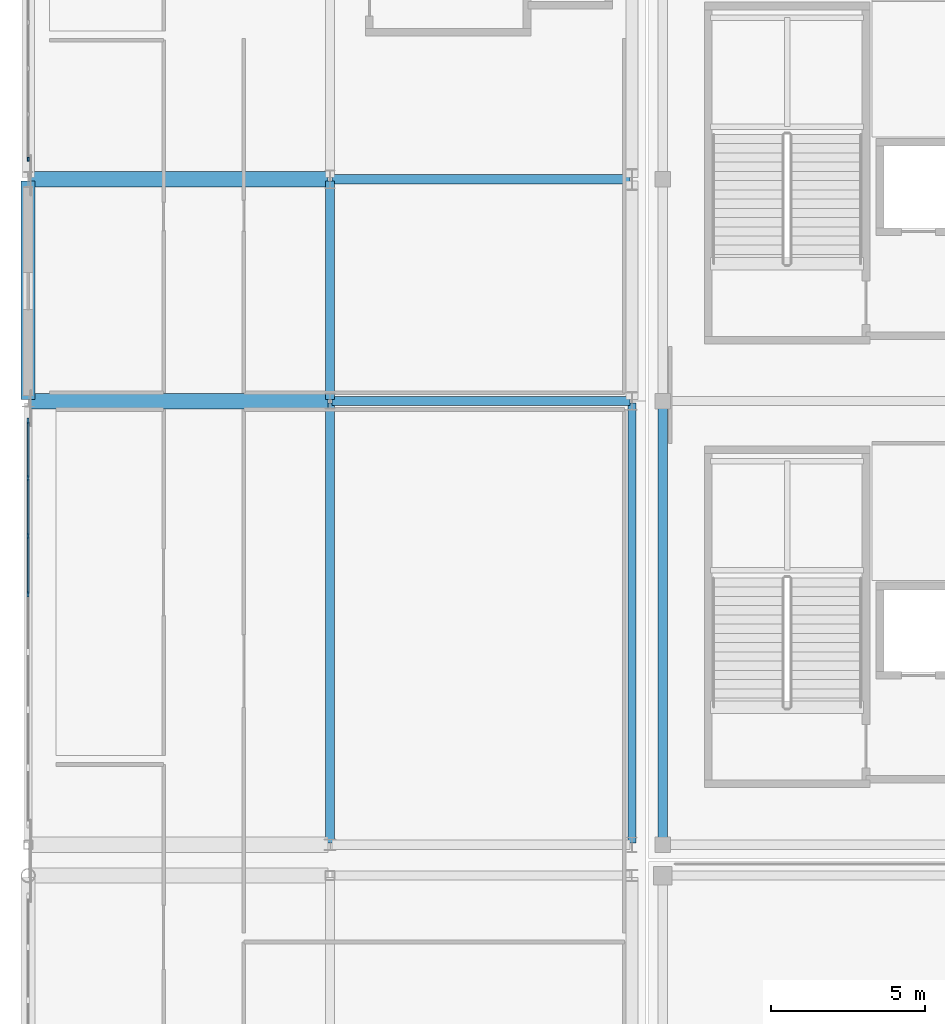
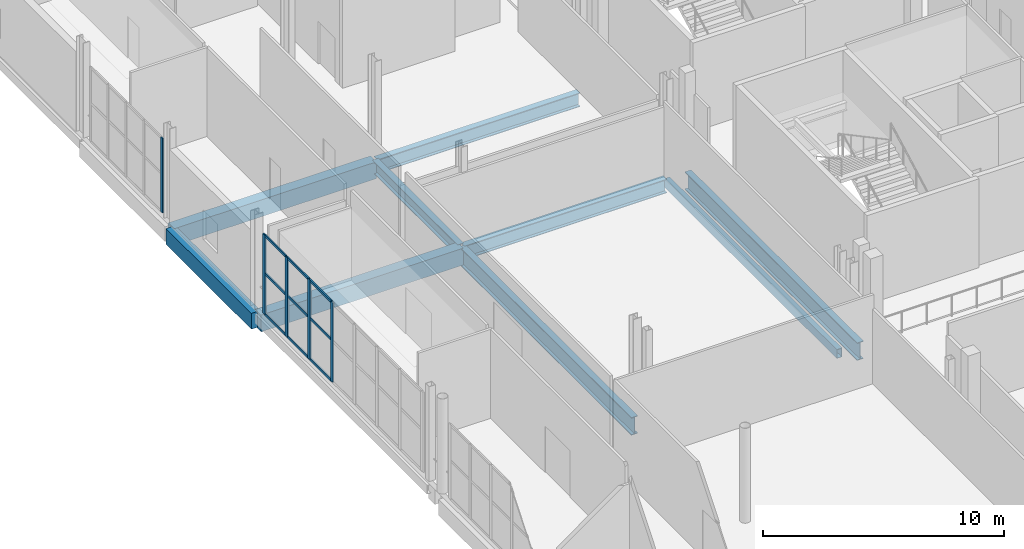
# One storey, part 18 of 129: 14 members, 9 beams, 2 elements without a shape of their own.
"""IFC4 building model written with IfcOpenShell, lengths in metres."""

from ifc_helpers import new_model, si_unit, direction, frame, origin, origin_2d, place, context, subcontext, project, spatial, rectangle, hollow_rectangle, i_section, extrude, material, material_profile, profile_set, type_object, element, aggregate, save


model = new_model("IFC4")

# Units and contexts
model_context = context("Model", 3, precision=1e-05, world=origin(), true_north=direction((0.0, 1.0)))
body_context = subcontext(model_context, "Body", "Model", "MODEL_VIEW")
ifc_project = project(units=[si_unit("LENGTHUNIT", "METRE"), si_unit("AREAUNIT", "SQUARE_METRE"), si_unit("VOLUMEUNIT", "CUBIC_METRE"), si_unit("PLANEANGLEUNIT", "RADIAN"), si_unit("MASSUNIT", "GRAM", prefix="KILO")], contexts=[model_context])

# Site, building, storey
site_placement = place(None, origin())
site = spatial("IfcSite", under=ifc_project, at=site_placement, CompositionType="ELEMENT")
building_placement = place(site_placement, origin())
building = spatial("IfcBuilding", under=site, at=building_placement, Name="Koshinbarg Plaza Stadium", CompositionType="ELEMENT")
storey_placement = place(building_placement, frame((0.0, 0.0, 5.39990234375)))
storey = spatial("IfcBuildingStorey", under=building, at=storey_placement, Name="L01", CompositionType="ELEMENT", Elevation=5.39990234375)

# Beams
ifc_material_1 = material(Name="Concrete C40/50", Category="concrete")
ifc_material_profile_1 = material_profile(ifc_material_1, rectangle(XDim=0.449951171875, YDim=0.800048828125, at=origin_2d()), Name="RC 450x800")
ifc_profile_set_1 = profile_set([ifc_material_profile_1], Name="Concrete C40/50")
beam_type_1 = type_object("IfcBeamType", Name="BM-RCG-04", PredefinedType="USERDEFINED", material=ifc_profile_set_1)
beam_1_placement = place(storey_placement, frame((4.0, 39.9599609375, -0.719970703125), z_axis=(0.0, 1.0, 0.0), x_axis=(-1.0, 0.0, 0.0)))
element("IfcBeam", 1, at=beam_1_placement, inside=storey, type_object=beam_type_1, Name="L01 Y girder 2/F-G", ObjectType="GIRDER", PredefinedType="USERDEFINED", context=body_context, shape_type="SweptSolid", body=[
    extrude(rectangle(XDim=0.449951171875, YDim=0.800048828125, at=origin_2d()), origin(), (0.0, 0.0, 1.0), 7.080078125),
])
ifc_material_profile_2 = material_profile(ifc_material_1, rectangle(XDim=0.5, YDim=0.85009765625, at=origin_2d()), Name="RC 500x850")
ifc_profile_set_2 = profile_set([ifc_material_profile_2], Name="Concrete C40/50")
beam_type_2 = type_object("IfcBeamType", Name="BM-RCG-05", PredefinedType="USERDEFINED", material=ifc_profile_set_2)
for number, where, z_axis, x_axis, name in (
    (2, (4.06005859375, 39.89990234375, -0.744873046875), (1.0, 0.0, 0.0), (0.0, 1.0, 0.0), "L01 X girder F/2-3"),
    (3, (4.06005859375, 47.10009765625, -0.744873046875), (1.0, 0.0, 0.0), (0.0, 1.0, 0.0), "L01 X girder G/2-3"),
):
    element("IfcBeam", number, at=place(storey_placement, frame(where, z_axis=z_axis, x_axis=x_axis)), inside=storey, type_object=beam_type_2, Name=name, ObjectType="GIRDER", PredefinedType="USERDEFINED", context=body_context, shape_type="SweptSolid", body=[
        extrude(rectangle(XDim=0.5, YDim=0.85009765625, at=origin_2d()), origin(), (0.0, 0.0, 1.0), 9.679931640625),
    ])
ifc_material_2 = material(Name="Steel S355", Category="steel")
ifc_material_profile_3 = material_profile(ifc_material_2, i_section(OverallWidth=0.300048828125, OverallDepth=0.60009765625, WebThickness=0.015380859375, FlangeThickness=0.030029296875, at=origin_2d()), Name="HEB 600")
ifc_profile_set_3 = profile_set([ifc_material_profile_3], Name="Steel S355")
beam_type_3 = type_object("IfcBeamType", Name="BM-SGIR-02", PredefinedType="USERDEFINED", material=ifc_profile_set_3)
beam_2_placement = place(storey_placement, frame((13.800048828125, 39.9599609375, -0.619873046875), z_axis=(0.0, 1.0, 0.0), x_axis=(-1.0, 0.0, 0.0)))
element("IfcBeam", 4, at=beam_2_placement, inside=storey, type_object=beam_type_3, Name="L01 Y girder 3/F-G", ObjectType="GIRDER", PredefinedType="USERDEFINED", context=body_context, shape_type="SweptSolid", body=[
    extrude(i_section(OverallWidth=0.300048828125, OverallDepth=0.60009765625, WebThickness=0.015380859375, FlangeThickness=0.030029296875, at=origin_2d()), origin(), (0.0, 0.0, 1.0), 7.080078125),
])
ifc_material_profile_4 = material_profile(ifc_material_2, i_section(OverallWidth=0.300048828125, OverallDepth=0.699951171875, WebThickness=0.01708984375, FlangeThickness=0.031982421875, at=origin_2d()), Name="HEB 700")
ifc_profile_set_4 = profile_set([ifc_material_profile_4], Name="Steel S355")
beam_type_4 = type_object("IfcBeamType", Name="BM-SGIR-03", PredefinedType="USERDEFINED", material=ifc_profile_set_4)
for number, where, z_axis, x_axis, name in (
    (5, (13.860107421875, 39.89990234375, -0.669921875), (1.0, 0.0, 0.0), (0.0, 1.0, 0.0), "L01 X girder F/3-4"),
    (6, (13.860107421875, 47.10009765625, -0.669921875), (1.0, 0.0, 0.0), (0.0, 1.0, 0.0), "L01 X girder G/3-4"),
):
    element("IfcBeam", number, at=place(storey_placement, frame(where, z_axis=z_axis, x_axis=x_axis)), inside=storey, type_object=beam_type_4, Name=name, ObjectType="GIRDER", PredefinedType="USERDEFINED", context=body_context, shape_type="SweptSolid", body=[
        extrude(i_section(OverallWidth=0.300048828125, OverallDepth=0.699951171875, WebThickness=0.01708984375, FlangeThickness=0.031982421875, at=origin_2d()), origin(), (0.0, 0.0, 1.0), 9.679931640625),
    ])
ifc_material_profile_5 = material_profile(ifc_material_2, i_section(OverallWidth=0.300048828125, OverallDepth=0.89990234375, WebThickness=0.0185546875, FlangeThickness=0.034912109375, at=origin_2d()), Name="HEB 900")
ifc_profile_set_5 = profile_set([ifc_material_profile_5], Name="Steel S355")
beam_type_5 = type_object("IfcBeamType", Name="BM-SGIR-05", PredefinedType="USERDEFINED", material=ifc_profile_set_5)
for number, where, z_axis, x_axis, name in (
    (7, (13.800048828125, 25.56005859375, -0.77001953125), (0.0, 1.0, 0.0), (-1.0, 0.0, 0.0), "L01 Y girder 3/E-F"),
    (8, (24.60009765625, 25.56005859375, -0.77001953125), (0.0, 1.0, 0.0), (-1.0, 0.0, 0.0), "L01 Y girder 5/E-F"),
):
    element("IfcBeam", number, at=place(storey_placement, frame(where, z_axis=z_axis, x_axis=x_axis)), inside=storey, type_object=beam_type_5, Name=name, ObjectType="GIRDER", PredefinedType="USERDEFINED", context=body_context, shape_type="SweptSolid", body=[
        extrude(i_section(OverallWidth=0.300048828125, OverallDepth=0.89990234375, WebThickness=0.0185546875, FlangeThickness=0.034912109375, at=origin_2d()), origin(), (0.0, 0.0, 1.0), 14.280029296875),
    ])
ifc_material_profile_6 = material_profile(ifc_material_2, hollow_rectangle(XDim=0.25, YDim=0.449951171875, WallThickness=0.01611328125, at=origin_2d()), Name="RHS 450x250x16")
ifc_profile_set_6 = profile_set([ifc_material_profile_6], Name="Steel S355")
beam_type_6 = type_object("IfcBeamType", Name="BM-SGIR-06", PredefinedType="USERDEFINED", material=ifc_profile_set_6)
beam_3_placement = place(storey_placement, frame((23.60009765625, 25.56005859375, -0.544921875), z_axis=(0.0, 1.0, 0.0), x_axis=(-1.0, 0.0, 0.0)))
element("IfcBeam", 9, at=beam_3_placement, inside=storey, type_object=beam_type_6, Name="L01 Y girder 4/E-F", ObjectType="GIRDER", PredefinedType="USERDEFINED", context=body_context, shape_type="SweptSolid", body=[
    extrude(hollow_rectangle(XDim=0.25, YDim=0.449951171875, WallThickness=0.01611328125, at=origin_2d()), origin(), (0.0, 0.0, 1.0), 14.280029296875),
])

# Curtain wall, member
ifc_material_3 = material(Name="Thermally broken anodised aluminium and low-E double glazing", Category="aluminium")
curtain_wall_type_1 = type_object("IfcCurtainWallType", Name="CW-SYS-05", PredefinedType="NOTDEFINED", material=ifc_material_3)
curtain_wall_1_placement = place(storey_placement, origin())
curtain_wall_1 = element("IfcCurtainWall", 10, at=curtain_wall_1_placement, inside=storey, type_object=curtain_wall_type_1, Name="L01 unitised curtain wall CW-L01-004", PredefinedType="NOTDEFINED")
ifc_material_4 = material(Name="Anodised aluminium mullion", Category="aluminium")
ifc_material_profile_7 = material_profile(ifc_material_4, rectangle(XDim=0.06005859375, YDim=0.139892578125, at=origin_2d()), Name="ALU 60x140")
ifc_profile_set_7 = profile_set([ifc_material_profile_7], Name="Anodised aluminium mullion")
member_type_1 = type_object("IfcMemberType", Name="CW-MUL-01", PredefinedType="MULLION", material=ifc_profile_set_7)
member_1_placement = place(storey_placement, frame((4.0, 47.75, 0.0), z_axis=(0.0, 0.0, 1.0), x_axis=(-1.0, 0.0, 0.0)))
member_1 = element("IfcMember", 11, at=member_1_placement, type_object=member_type_1, Name="CW05 mullion 1", PredefinedType="MULLION", context=body_context, shape_type="SweptSolid", body=[
    extrude(rectangle(XDim=0.06005859375, YDim=0.139892578125, at=origin_2d()), origin(), (0.0, 0.0, 1.0), 3.780029296875),
])
aggregate(curtain_wall_1, [member_1])

# Curtain wall, members
curtain_wall_type_2 = type_object("IfcCurtainWallType", Name="CW-SYS-04", PredefinedType="NOTDEFINED", material=ifc_material_3)
curtain_wall_2_placement = place(storey_placement, origin())
curtain_wall_2 = element("IfcCurtainWall", 12, at=curtain_wall_2_placement, inside=storey, type_object=curtain_wall_type_2, Name="L01 unitised curtain wall CW-L01-003", PredefinedType="NOTDEFINED")
ifc_material_profile_8 = material_profile(ifc_material_4, rectangle(XDim=0.070068359375, YDim=0.199951171875, at=origin_2d()), Name="ALU 70x200")
ifc_profile_set_8 = profile_set([ifc_material_profile_8], Name="Anodised aluminium mullion")
member_type_2 = type_object("IfcMemberType", Name="CW-MUL-04", PredefinedType="MULLION", material=ifc_profile_set_8)
member_2_placement = place(storey_placement, frame((4.0, 33.639892578125, 0.0), z_axis=(0.0, 0.0, 1.0), x_axis=(-1.0, 0.0, 0.0)))
member_2 = element("IfcMember", 13, at=member_2_placement, type_object=member_type_2, Name="CW04 mullion 5", PredefinedType="MULLION", context=body_context, shape_type="SweptSolid", body=[
    extrude(rectangle(XDim=0.070068359375, YDim=0.199951171875, at=origin_2d()), origin(), (0.0, 0.0, 1.0), 4.030029296875),
])
member_3_placement = place(storey_placement, frame((4.0, 35.52001953125, 0.0), z_axis=(0.0, 0.0, 1.0), x_axis=(-1.0, 0.0, 0.0)))
member_3 = element("IfcMember", 14, at=member_3_placement, type_object=member_type_2, Name="CW04 mullion 6", PredefinedType="MULLION", context=body_context, shape_type="SweptSolid", body=[
    extrude(rectangle(XDim=0.070068359375, YDim=0.199951171875, at=origin_2d()), origin(), (0.0, 0.0, 1.0), 4.030029296875),
])
member_4_placement = place(storey_placement, frame((4.0, 37.39990234375, 0.0), z_axis=(0.0, 0.0, 1.0), x_axis=(-1.0, 0.0, 0.0)))
member_4 = element("IfcMember", 15, at=member_4_placement, type_object=member_type_2, Name="CW04 mullion 7", PredefinedType="MULLION", context=body_context, shape_type="SweptSolid", body=[
    extrude(rectangle(XDim=0.070068359375, YDim=0.199951171875, at=origin_2d()), origin(), (0.0, 0.0, 1.0), 4.030029296875),
])
member_5_placement = place(storey_placement, frame((4.0, 39.25, 0.0), z_axis=(0.0, 0.0, 1.0), x_axis=(-1.0, 0.0, 0.0)))
member_5 = element("IfcMember", 16, at=member_5_placement, type_object=member_type_2, Name="CW04 mullion 8", PredefinedType="MULLION", context=body_context, shape_type="SweptSolid", body=[
    extrude(rectangle(XDim=0.070068359375, YDim=0.199951171875, at=origin_2d()), origin(), (0.0, 0.0, 1.0), 4.030029296875),
])
ifc_material_5 = material(Name="Anodised aluminium transom", Category="aluminium")
ifc_material_profile_9 = material_profile(ifc_material_5, rectangle(XDim=0.06005859375, YDim=0.1298828125, at=origin_2d()), Name="ALU 60x130")
ifc_profile_set_9 = profile_set([ifc_material_profile_9], Name="Anodised aluminium transom")
member_type_3 = type_object("IfcMemberType", Name="CW-TRN-02", PredefinedType="USERDEFINED", material=ifc_profile_set_9)
member_6_placement = place(storey_placement, frame((4.0, 33.669921875, 0.030029296875), z_axis=(0.0, 1.0, 0.0), x_axis=(-1.0, 0.0, 0.0)))
member_6 = element("IfcMember", 17, at=member_6_placement, type_object=member_type_3, Name="CW04 transom 5.1", ObjectType="TRANSOM", PredefinedType="USERDEFINED", context=body_context, shape_type="SweptSolid", body=[
    extrude(rectangle(XDim=0.06005859375, YDim=0.1298828125, at=origin_2d()), origin(), (0.0, 0.0, 1.0), 1.820068359375),
])
member_7_placement = place(storey_placement, frame((4.0, 33.669921875, 2.095703125), z_axis=(0.0, 1.0, 0.0), x_axis=(-1.0, 0.0, 0.0)))
member_7 = element("IfcMember", 18, at=member_7_placement, type_object=member_type_3, Name="CW04 transom 5.2", ObjectType="TRANSOM", PredefinedType="USERDEFINED", context=body_context, shape_type="SweptSolid", body=[
    extrude(rectangle(XDim=0.06005859375, YDim=0.1298828125, at=origin_2d()), origin(), (0.0, 0.0, 1.0), 1.820068359375),
])
member_8_placement = place(storey_placement, frame((4.0, 33.669921875, 4.0), z_axis=(0.0, 1.0, 0.0), x_axis=(-1.0, 0.0, 0.0)))
member_8 = element("IfcMember", 19, at=member_8_placement, type_object=member_type_3, Name="CW04 transom 5.3", ObjectType="TRANSOM", PredefinedType="USERDEFINED", context=body_context, shape_type="SweptSolid", body=[
    extrude(rectangle(XDim=0.06005859375, YDim=0.1298828125, at=origin_2d()), origin(), (0.0, 0.0, 1.0), 1.820068359375),
])
member_9_placement = place(storey_placement, frame((4.0, 35.550048828125, 0.030029296875), z_axis=(0.0, 1.0, 0.0), x_axis=(-1.0, 0.0, 0.0)))
member_9 = element("IfcMember", 20, at=member_9_placement, type_object=member_type_3, Name="CW04 transom 6.1", ObjectType="TRANSOM", PredefinedType="USERDEFINED", context=body_context, shape_type="SweptSolid", body=[
    extrude(rectangle(XDim=0.06005859375, YDim=0.1298828125, at=origin_2d()), origin(), (0.0, 0.0, 1.0), 1.820068359375),
])
member_10_placement = place(storey_placement, frame((4.0, 35.550048828125, 2.095703125), z_axis=(0.0, 1.0, 0.0), x_axis=(-1.0, 0.0, 0.0)))
member_10 = element("IfcMember", 21, at=member_10_placement, type_object=member_type_3, Name="CW04 transom 6.2", ObjectType="TRANSOM", PredefinedType="USERDEFINED", context=body_context, shape_type="SweptSolid", body=[
    extrude(rectangle(XDim=0.06005859375, YDim=0.1298828125, at=origin_2d()), origin(), (0.0, 0.0, 1.0), 1.820068359375),
])
member_11_placement = place(storey_placement, frame((4.0, 35.550048828125, 4.0), z_axis=(0.0, 1.0, 0.0), x_axis=(-1.0, 0.0, 0.0)))
member_11 = element("IfcMember", 22, at=member_11_placement, type_object=member_type_3, Name="CW04 transom 6.3", ObjectType="TRANSOM", PredefinedType="USERDEFINED", context=body_context, shape_type="SweptSolid", body=[
    extrude(rectangle(XDim=0.06005859375, YDim=0.1298828125, at=origin_2d()), origin(), (0.0, 0.0, 1.0), 1.820068359375),
])
member_12_placement = place(storey_placement, frame((4.0, 37.429931640625, 0.030029296875), z_axis=(0.0, 1.0, 0.0), x_axis=(-1.0, 0.0, 0.0)))
member_12 = element("IfcMember", 23, at=member_12_placement, type_object=member_type_3, Name="CW04 transom 7.1", ObjectType="TRANSOM", PredefinedType="USERDEFINED", context=body_context, shape_type="SweptSolid", body=[
    extrude(rectangle(XDim=0.06005859375, YDim=0.1298828125, at=origin_2d()), origin(), (0.0, 0.0, 1.0), 1.7900390625),
])
member_13_placement = place(storey_placement, frame((4.0, 37.429931640625, 2.095703125), z_axis=(0.0, 1.0, 0.0), x_axis=(-1.0, 0.0, 0.0)))
member_13 = element("IfcMember", 24, at=member_13_placement, type_object=member_type_3, Name="CW04 transom 7.2", ObjectType="TRANSOM", PredefinedType="USERDEFINED", context=body_context, shape_type="SweptSolid", body=[
    extrude(rectangle(XDim=0.06005859375, YDim=0.1298828125, at=origin_2d()), origin(), (0.0, 0.0, 1.0), 1.7900390625),
])
member_14_placement = place(storey_placement, frame((4.0, 37.429931640625, 4.0), z_axis=(0.0, 1.0, 0.0), x_axis=(-1.0, 0.0, 0.0)))
member_14 = element("IfcMember", 25, at=member_14_placement, type_object=member_type_3, Name="CW04 transom 7.3", ObjectType="TRANSOM", PredefinedType="USERDEFINED", context=body_context, shape_type="SweptSolid", body=[
    extrude(rectangle(XDim=0.06005859375, YDim=0.1298828125, at=origin_2d()), origin(), (0.0, 0.0, 1.0), 1.7900390625),
])
aggregate(curtain_wall_2, [member_2, member_3, member_4, member_5, member_6, member_7, member_8, member_9, member_10, member_11, member_12, member_13, member_14])

save(model, "model.ifc")
